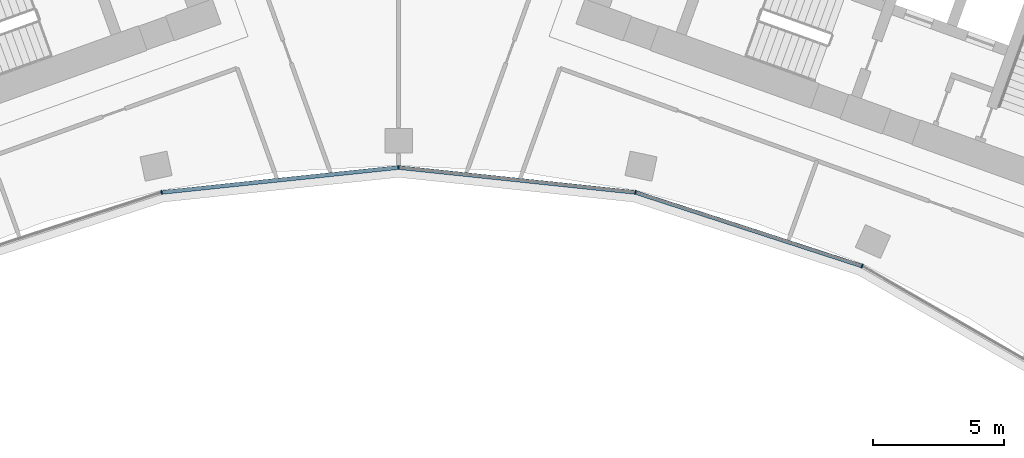
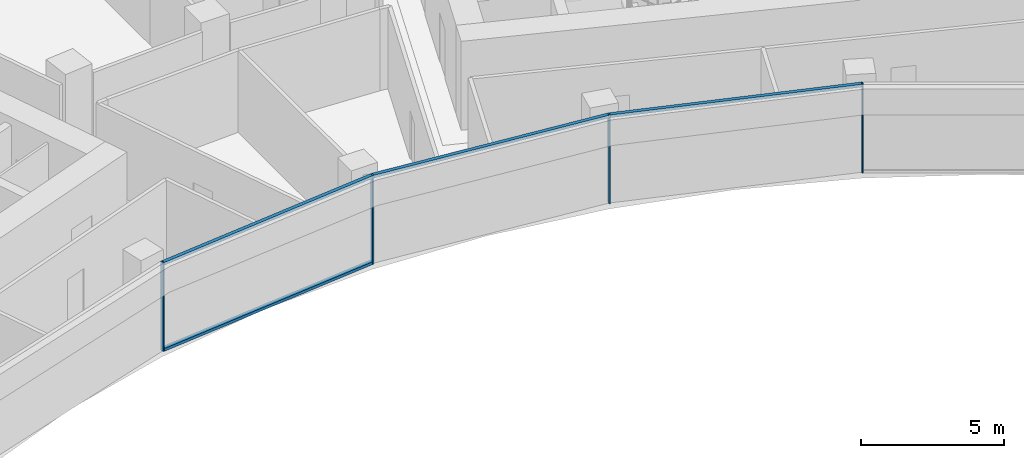
# One storey, part 5 of 19: 8 members, 1 element without a shape of its own.
"""IFC4 building model written with IfcOpenShell, lengths in metres."""

import ifcopenshell
import ifcopenshell.guid

model = None  # the IFC model being written
_history = None  # IfcOwnerHistory: only IFC2X3 demands one
_inside = {}  # id of a spatial element -> (the spatial element, [elements in it])
_under = {}  # id of a project, library or spatial element -> (it, [spatial elements below it])
_declared = {}  # id of a project -> (the project, [libraries it declares])
_typed = {}  # id of a type object -> (the type object, [elements of that type])
_made_of = {}  # id of a material, layer set ... -> (it, [elements and type objects made of it])


def new_model(schema):
    """Start an empty IFC model of exactly this schema.

    Asked for "IFC4X3", IfcOpenShell would pick the latest addendum, in which some entities
    have other attributes; the version numbers below select the first issue.
    IFC2X3 requires an IfcOwnerHistory on every rooted entity: one is made here for all.
    """
    global model, _history
    if schema == "IFC4X3":
        model = ifcopenshell.file(schema_version=(4, 3, 0, 0))
    else:
        model = ifcopenshell.file(schema=schema)
    _inside.clear()
    _under.clear()
    _declared.clear()
    _typed.clear()
    _made_of.clear()
    _history = None
    if model.schema == "IFC2X3":
        org = make("IfcOrganization", Name="unknown")
        user = make(
            "IfcPersonAndOrganization",
            ThePerson=make("IfcPerson", FamilyName="unknown"),
            TheOrganization=org,
        )
        app = make(
            "IfcApplication",
            ApplicationDeveloper=org,
            Version="unknown",
            ApplicationFullName="unknown",
            ApplicationIdentifier="unknown",
        )
        _history = make(
            "IfcOwnerHistory",
            OwningUser=user,
            OwningApplication=app,
            ChangeAction="ADDED",
            CreationDate=0,
        )
    return model


def make(cls, **values):
    """One entity of the class cls with the attributes given. An attribute that is None is left unset."""
    return model.create_entity(
        cls, **{name: value for name, value in values.items() if value is not None}
    )


def rooted(cls, **values):
    """An entity with a GlobalId (a new one), such as an element, a storey or a relation."""
    return make(cls, GlobalId=ifcopenshell.guid.new(), OwnerHistory=_history, **values)


def si_unit(unit_type, name, prefix=None):
    """IfcSIUnit, for example si_unit("LENGTHUNIT", "METRE", prefix="MILLI")."""
    return make("IfcSIUnit", UnitType=unit_type, Prefix=prefix, Name=name)


def assignment(units):
    """IfcUnitAssignment: the units of a project."""
    return None if units is None else make("IfcUnitAssignment", Units=units)


def point(xyz):
    """IfcCartesianPoint."""
    return None if xyz is None else make("IfcCartesianPoint", Coordinates=xyz)


def direction(xyz):
    """IfcDirection."""
    return None if xyz is None else make("IfcDirection", DirectionRatios=xyz)


def frame(location, z_axis=None, x_axis=None):
    """IfcAxis2Placement3D, a coordinate frame: its origin and axes. An axis left out is left unset."""
    return make(
        "IfcAxis2Placement3D",
        Location=point(location),
        Axis=direction(z_axis),
        RefDirection=direction(x_axis),
    )


def frame_2d(location, x_axis=None):
    """IfcAxis2Placement2D, a coordinate frame in the plane: its origin and x axis."""
    return make(
        "IfcAxis2Placement2D", Location=point(location), RefDirection=direction(x_axis)
    )


def origin():
    """The frame at (0, 0, 0) with its axes left unset."""
    return frame((0.0, 0.0, 0.0))


def origin_2d():
    """The frame at (0, 0) in the plane with its x axis left unset."""
    return frame_2d((0.0, 0.0))


def place(relative_to, where):
    """IfcLocalPlacement: puts the frame where relative to a parent placement (None: the world)."""
    return make(
        "IfcLocalPlacement", PlacementRelTo=relative_to, RelativePlacement=where
    )


def context(
    kind, dimensions, precision=None, world=None, true_north=None, identifier=None
):
    """IfcGeometricRepresentationContext, for example the 3D "Model" context."""
    return make(
        "IfcGeometricRepresentationContext",
        ContextIdentifier=identifier,
        ContextType=kind,
        CoordinateSpaceDimension=dimensions,
        Precision=precision,
        WorldCoordinateSystem=world,
        TrueNorth=true_north,
    )


def subcontext(parent, identifier, kind, view, scale=None):
    """IfcGeometricRepresentationSubContext, for example "Body" below "Model"."""
    return make(
        "IfcGeometricRepresentationSubContext",
        ContextIdentifier=identifier,
        ContextType=kind,
        ParentContext=parent,
        TargetScale=scale,
        TargetView=view,
    )


def project(units=None, contexts=None):
    """IfcProject with its units and contexts."""
    return rooted(
        "IfcProject",
        Name="project",
        RepresentationContexts=contexts,
        UnitsInContext=assignment(units),
    )


def spatial(cls, under=None, at=None, **own):
    """A site, building, storey or space (cls), placed at a placement, below another one or the project."""
    s = rooted(cls, ObjectPlacement=at, **own)
    if under is not None:
        _under.setdefault(under.id(), (under, []))[1].append(s)
    return s


def profile(cls, at=None, kind="AREA", **sizes):
    """A parametric profile (cls). Its sizes go by their IFC names, for example OverallWidth=200.0."""
    return make(cls, ProfileType=kind, Position=at, **sizes)


def rectangle(**sizes):
    """IfcRectangleProfileDef."""
    return profile("IfcRectangleProfileDef", **sizes)


def extrude(swept, where, along, depth):
    """IfcExtrudedAreaSolid: the profile swept, set in the frame where, extruded along a direction by depth."""
    return make(
        "IfcExtrudedAreaSolid",
        SweptArea=swept,
        Position=where,
        ExtrudedDirection=direction(along),
        Depth=depth,
    )


def shape(context_of_items, identifier, shape_type, items):
    """IfcShapeRepresentation: the items that make up one representation, for example the "Body"."""
    return make(
        "IfcShapeRepresentation",
        ContextOfItems=context_of_items,
        RepresentationIdentifier=identifier,
        RepresentationType=shape_type,
        Items=items,
    )


def material(Name=None, Category=None):
    """IfcMaterial."""
    return make("IfcMaterial", Name=Name, Category=Category)


def layer(
    of_material, thickness, ventilated=None, Name=None, Category=None, Priority=None
):
    """IfcMaterialLayer: one layer of a wall or slab, of a material (None: an air gap)."""
    return make(
        "IfcMaterialLayer",
        Material=of_material,
        LayerThickness=thickness,
        IsVentilated=ventilated,
        Name=Name,
        Category=Category,
        Priority=Priority,
    )


def layer_set(layers, Name=None):
    """IfcMaterialLayerSet."""
    return make("IfcMaterialLayerSet", MaterialLayers=layers, LayerSetName=Name)


def material_profile(
    of_material, cross_section, Name=None, Category=None, Priority=None
):
    """IfcMaterialProfile: a cross section and its material."""
    return make(
        "IfcMaterialProfile",
        Name=Name,
        Material=of_material,
        Profile=cross_section,
        Priority=Priority,
        Category=Category,
    )


def profile_set(profiles, Name=None, composite=None):
    """IfcMaterialProfileSet."""
    return make(
        "IfcMaterialProfileSet",
        Name=Name,
        MaterialProfiles=profiles,
        CompositeProfile=composite,
    )


def made_of(thing, what):
    """Note that an element or type object is made of a material, layer set ...; save() writes the relation."""
    if what is not None:
        _made_of.setdefault(what.id(), (what, []))[1].append(thing)
    return thing


def type_object(cls, material=None, **own):
    """A type object (cls), such as IfcWallType, which elements share."""
    return made_of(rooted(cls, **own), material)


def element(
    cls,
    number,
    at=None,
    inside=None,
    cuts=None,
    type_object=None,
    material=None,
    context=None,
    identifier="Body",
    shape_type=None,
    held_by="IfcProductDefinitionShape",
    body=None,
    shapes=None,
    **own,
):
    """One element of the class cls, such as IfcWall. Its Tag is "e" and its number.

    at: its placement. inside: the storey or other place that contains it. cuts: it is an
    opening in that element (IfcRelVoidsElement). A single representation is given by context,
    identifier, shape_type and body (its items); several are given by shapes. held_by: the class
    of the entity that holds the representations. save() writes the other relations.
    """
    e = rooted(cls, Tag="e%d" % number, ObjectPlacement=at, **own)
    if body is not None:
        shapes = [shape(context, identifier, shape_type, body)]
    if shapes is not None:
        e.Representation = make(held_by, Representations=shapes)
    if inside is not None:
        _inside.setdefault(inside.id(), (inside, []))[1].append(e)
    if cuts is not None:
        rooted(
            "IfcRelVoidsElement", RelatingBuildingElement=cuts, RelatedOpeningElement=e
        )
    if type_object is not None:
        _typed.setdefault(type_object.id(), (type_object, []))[1].append(e)
    return made_of(e, material)


def aggregate(whole, parts):
    """IfcRelAggregates: a whole, such as a stair, and the parts it consists of."""
    return rooted("IfcRelAggregates", RelatingObject=whole, RelatedObjects=parts)


def save(model, path):
    """Write the relations noted so far, then the file.

    IfcRelAggregates (storeys below a building ...), IfcRelContainedInSpatialStructure (elements
    in a storey), IfcRelDefinesByType, IfcRelAssociatesMaterial and IfcRelDeclares: one each for
    every whole, place, type object, material and project.
    """
    for whole, parts in _under.values():
        aggregate(whole, parts)
    for where, things in _inside.values():
        rooted(
            "IfcRelContainedInSpatialStructure",
            RelatedElements=things,
            RelatingStructure=where,
        )
    for kind, things in _typed.values():
        rooted("IfcRelDefinesByType", RelatedObjects=things, RelatingType=kind)
    for what, things in _made_of.values():
        rooted("IfcRelAssociatesMaterial", RelatedObjects=things, RelatingMaterial=what)
    for by, libraries in _declared.values():
        rooted("IfcRelDeclares", RelatingContext=by, RelatedDefinitions=libraries)
    model.write(path)


model = new_model("IFC4")

# Units and contexts
model_context = context("Model", 3, precision=1e-05, world=origin(), true_north=direction((0.0, 1.0)))
body_context = subcontext(model_context, "Body", "Model", "MODEL_VIEW")
ifc_project = project(units=[si_unit("LENGTHUNIT", "METRE"), si_unit("AREAUNIT", "SQUARE_METRE"), si_unit("VOLUMEUNIT", "CUBIC_METRE"), si_unit("PLANEANGLEUNIT", "RADIAN"), si_unit("MASSUNIT", "GRAM", prefix="KILO")], contexts=[model_context])

# Site, building, storey
site_placement = place(None, origin())
site = spatial("IfcSite", under=ifc_project, at=site_placement, CompositionType="ELEMENT")
building_placement = place(site_placement, origin())
building = spatial("IfcBuilding", under=site, at=building_placement, Name="Stone Belt Terrace Tower", CompositionType="ELEMENT")
storey_placement = place(building_placement, frame((0.0, 0.0, 223.800048828125)))
storey = spatial("IfcBuildingStorey", under=building, at=storey_placement, Name="L54", CompositionType="ELEMENT", Elevation=223.800048828125)

# Curtain wall, members
ifc_material = material(Name="Aluminium 6063-T6 anodised frame", Category="aluminium")
ifc_layer = layer(ifc_material, 0.14990234375)
ifc_layer_set = layer_set([ifc_layer], Name="CW-B unitised concave-face curtain wall")
curtain_wall_type = type_object("IfcCurtainWallType", Name="CW-B unitised concave-face curtain wall", PredefinedType="NOTDEFINED", material=ifc_layer_set)
curtain_wall_placement = place(storey_placement, origin())
curtain_wall = element("IfcCurtainWall", 1, at=curtain_wall_placement, inside=storey, type_object=curtain_wall_type, Name="CW-B concave face L54", PredefinedType="NOTDEFINED")
ifc_material_profile_1 = material_profile(ifc_material, rectangle(XDim=0.14990234375, YDim=0.050048828125, at=origin_2d()), Name="Aluminium 6063-T6 50x150")
ifc_profile_set_1 = profile_set([ifc_material_profile_1], Name="Aluminium 6063-T6 anodised frame")
member_type_1 = type_object("IfcMemberType", Name="CW-B mullion 50 x 150", PredefinedType="MULLION", material=ifc_profile_set_1)
member_1_placement = place(storey_placement, frame((-9.028564453125, 42.4755859375, 0.0), z_axis=(0.0, 0.0, 1.0), x_axis=(-0.207911690818, 0.978147600734, 0.0)))
member_1 = element("IfcMember", 2, at=member_1_placement, type_object=member_type_1, Name="CW-B mullion 4", PredefinedType="MULLION", context=body_context, shape_type="SweptSolid", body=[
    extrude(rectangle(XDim=0.14990234375, YDim=0.050048828125, at=origin_2d()), origin(), (0.0, 0.0, 1.0), 3.800048828125),
])
member_2_placement = place(storey_placement, frame((0.0, 43.424560546875, 0.0), z_axis=(0.0, 0.0, 1.0), x_axis=(0.0, 1.0, 0.0)))
member_2 = element("IfcMember", 3, at=member_2_placement, type_object=member_type_1, Name="CW-B mullion 5", PredefinedType="MULLION", context=body_context, shape_type="SweptSolid", body=[
    extrude(rectangle(XDim=0.14990234375, YDim=0.050048828125, at=origin_2d()), origin(), (0.0, 0.0, 1.0), 3.800048828125),
])
member_3_placement = place(storey_placement, frame((9.028564453125, 42.4755859375, 0.0), z_axis=(0.0, 0.0, 1.0), x_axis=(0.207911690818, 0.978147600734, 0.0)))
member_3 = element("IfcMember", 4, at=member_3_placement, type_object=member_type_1, Name="CW-B mullion 6", PredefinedType="MULLION", context=body_context, shape_type="SweptSolid", body=[
    extrude(rectangle(XDim=0.14990234375, YDim=0.050048828125, at=origin_2d()), origin(), (0.0, 0.0, 1.0), 3.800048828125),
])
member_4_placement = place(storey_placement, frame((17.662353515625, 39.67041015625, 0.0), z_axis=(0.0, 0.0, 1.0), x_axis=(0.406736643076, 0.913545457643, 0.0)))
member_4 = element("IfcMember", 5, at=member_4_placement, type_object=member_type_1, Name="CW-B mullion 7", PredefinedType="MULLION", context=body_context, shape_type="SweptSolid", body=[
    extrude(rectangle(XDim=0.14990234375, YDim=0.050048828125, at=origin_2d()), origin(), (0.0, 0.0, 1.0), 3.800048828125),
])
ifc_material_profile_2 = material_profile(ifc_material, rectangle(XDim=0.14990234375, YDim=0.1201171875, at=origin_2d()), Name="Aluminium 6063-T6 150x120")
ifc_profile_set_2 = profile_set([ifc_material_profile_2], Name="Aluminium 6063-T6 anodised frame")
member_type_2 = type_object("IfcMemberType", Name="CW-B transom 120 x 150", PredefinedType="USERDEFINED", material=ifc_profile_set_2)
member_5_placement = place(storey_placement, frame((-8.995849609375, 42.47900390625, 0.06005859375), z_axis=(0.994521323407, 0.104533904969, 0.0), x_axis=(-0.104533904969, 0.994521323407, 0.0)))
member_5 = element("IfcMember", 6, at=member_5_placement, type_object=member_type_2, Name="CW-B transom 4.1", ObjectType="TRANSOM", PredefinedType="USERDEFINED", context=body_context, shape_type="SweptSolid", body=[
    extrude(rectangle(XDim=0.14990234375, YDim=0.1201171875, at=origin_2d()), origin(), (0.0, 0.0, 1.0), 9.0126953125),
])
member_6_placement = place(storey_placement, frame((-8.995849609375, 42.47900390625, 3.739990234375), z_axis=(0.994521323407, 0.104533904969, 0.0), x_axis=(-0.104533904969, 0.994521323407, 0.0)))
member_6 = element("IfcMember", 7, at=member_6_placement, type_object=member_type_2, Name="CW-B transom 4.2", ObjectType="TRANSOM", PredefinedType="USERDEFINED", context=body_context, shape_type="SweptSolid", body=[
    extrude(rectangle(XDim=0.14990234375, YDim=0.1201171875, at=origin_2d()), origin(), (0.0, 0.0, 1.0), 9.0126953125),
])
member_7_placement = place(storey_placement, frame((0.032470703125, 43.421142578125, 3.739990234375), z_axis=(0.994521323407, -0.104533904969, 0.0), x_axis=(0.104533904969, 0.994521323407, 0.0)))
member_7 = element("IfcMember", 8, at=member_7_placement, type_object=member_type_2, Name="CW-B transom 5.1", ObjectType="TRANSOM", PredefinedType="USERDEFINED", context=body_context, shape_type="SweptSolid", body=[
    extrude(rectangle(XDim=0.14990234375, YDim=0.1201171875, at=origin_2d()), origin(), (0.0, 0.0, 1.0), 9.0126953125),
])
member_8_placement = place(storey_placement, frame((9.0595703125, 42.465576171875, 3.739990234375), z_axis=(0.951055963285, -0.309018696359, 0.0), x_axis=(0.309018696359, 0.951055963285, 0.0)))
member_8 = element("IfcMember", 9, at=member_8_placement, type_object=member_type_2, Name="CW-B transom 6.1", ObjectType="TRANSOM", PredefinedType="USERDEFINED", context=body_context, shape_type="SweptSolid", body=[
    extrude(rectangle(XDim=0.14990234375, YDim=0.1201171875, at=origin_2d()), origin(), (0.0, 0.0, 1.0), 9.012939453125),
])
aggregate(curtain_wall, [member_1, member_2, member_3, member_4, member_5, member_6, member_7, member_8])

save(model, "model.ifc")
